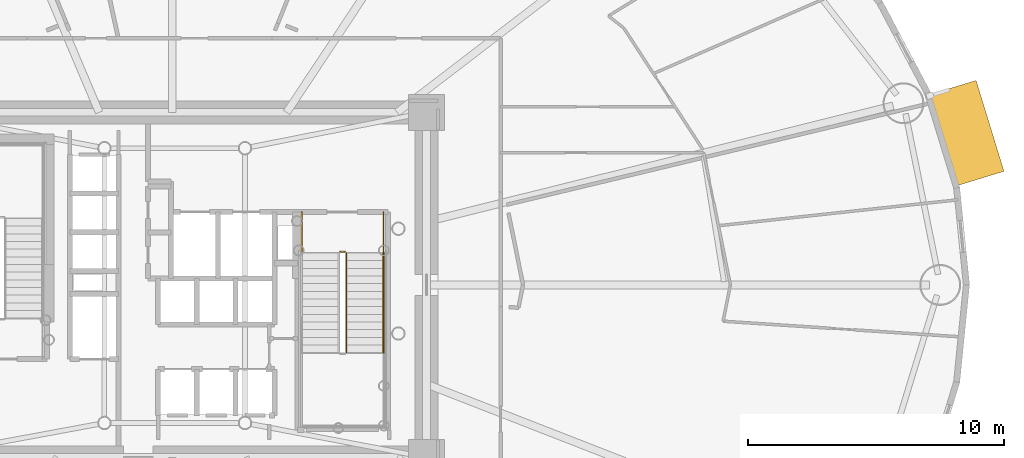
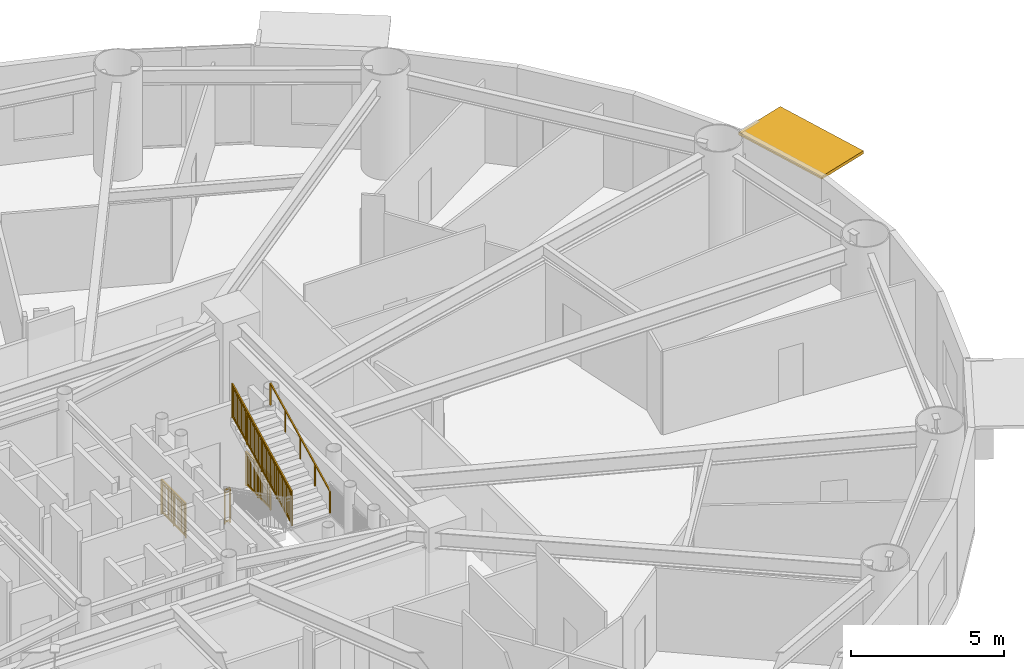
# One storey, part 20 of 21: 5 railings, 1 shading device.
"""IFC4 building model written with IfcOpenShell, lengths in metres."""

from ifc_helpers import new_model, si_unit, direction, frame, origin, origin_2d, place, context, subcontext, project, spatial, rectangle, extrude, source, transform, mapped, material, layer, layer_set, type_object, element, save


model = new_model("IFC4")

# Units and contexts
model_context = context("Model", 3, precision=1e-05, world=origin(), true_north=direction((0.0, 1.0)))
body_context = subcontext(model_context, "Body", "Model", "MODEL_VIEW")
ifc_project = project(units=[si_unit("LENGTHUNIT", "METRE"), si_unit("AREAUNIT", "SQUARE_METRE"), si_unit("VOLUMEUNIT", "CUBIC_METRE"), si_unit("PLANEANGLEUNIT", "RADIAN"), si_unit("MASSUNIT", "GRAM", prefix="KILO")], contexts=[model_context])

# Site, building, storey
site_placement = place(None, origin())
site = spatial("IfcSite", under=ifc_project, at=site_placement, CompositionType="ELEMENT")
building_placement = place(site_placement, origin())
building = spatial("IfcBuilding", under=site, at=building_placement, Name="Linh Dai School and Residence Tower", CompositionType="ELEMENT")
storey_placement = place(building_placement, frame((0.0, 0.0, 78.60009765625)))
storey = spatial("IfcBuildingStorey", under=building, at=storey_placement, Name="L18", CompositionType="ELEMENT", Elevation=78.60009765625)

# Shading device
ifc_material_1 = material(Name="Terracotta Ceramic Sunshade", Category="masonry")
ifc_layer = layer(ifc_material_1, 0.1201171875)
ifc_layer_set = layer_set([ifc_layer], Name="Terracotta Ceramic Sunshade")
shading_device_type = type_object("IfcShadingDeviceType", Name="SHD-TC-2000", PredefinedType="USERDEFINED", material=ifc_layer_set)
shared_shape_1 = source(origin(), body_context, "Body", "SweptSolid", [
    extrude(rectangle(XDim=3.7197265625, YDim=2.0, at=origin_2d()), origin(), (0.0, 0.0, 1.0), 0.1201171875),
])
shading_device_placement = place(storey_placement, frame((67.043212890625, 32.9306640625, 3.809814453125), z_axis=(0.0, 0.0, 1.0), x_axis=(0.293145733514, -0.956067769001, 0.0)))
element("IfcShadingDevice", 1, at=shading_device_placement, inside=storey, type_object=shading_device_type, Name="L18 Terracotta Horizontal Sunshade Band 02", ObjectType="SUNSHADE", PredefinedType="USERDEFINED", context=body_context, shape_type="MappedRepresentation", body=[
    mapped(shared_shape_1, transform((0.0, 0.0, 0.0), x_axis=(1.0, 0.0, 0.0), y_axis=(0.0, 1.0, 0.0), z_axis=(0.0, 0.0, 1.0), scale=1.0)),
])

# Railings
ifc_material_2 = material(Name="Structural Steel S355JR", Category="steel")
railing_type_1 = type_object("IfcRailingType", Name="RL-ST-GUARD-1400", PredefinedType="GUARDRAIL", material=ifc_material_2)
shared_shape_2 = source(origin(), body_context, "Body", "SweptSolid", [
    extrude(rectangle(XDim=0.048095703125, YDim=0.048095703125, at=origin_2d()), frame((0.0, 0.0, 1.3759765625), z_axis=(1.0, 0.0, 0.0), x_axis=(0.0, 1.0, 0.0)), (0.0, 0.0, 1.0), 0.199951171875),
    extrude(rectangle(XDim=0.048095703125, YDim=0.048095703125, at=origin_2d()), frame((0.0, 0.0, 0.10009765625), z_axis=(1.0, 0.0, 0.0), x_axis=(0.0, 1.0, 0.0)), (0.0, 0.0, 1.0), 0.199951171875),
    extrude(rectangle(XDim=0.030029296875, YDim=0.030029296875, at=origin_2d()), frame((0.0, 0.0, 1.239990234375), z_axis=(1.0, 0.0, 0.0), x_axis=(0.0, 1.0, 0.0)), (0.0, 0.0, 1.0), 0.199951171875),
    extrude(rectangle(XDim=0.0419921875, YDim=0.0419921875, at=origin_2d()), origin(), (0.0, 0.0, 1.0), 1.3759765625),
    extrude(rectangle(XDim=0.0419921875, YDim=0.0419921875, at=origin_2d()), frame((0.199951171875, 0.0, 0.0)), (0.0, 0.0, 1.0), 1.3759765625),
])
railing_1_placement = place(storey_placement, frame((42.570068359375, 28.300048828125, 0.0)))
element("IfcRailing", 2, at=railing_1_placement, inside=storey, type_object=railing_type_1, Name="L18 ST2 stair guard 7", PredefinedType="GUARDRAIL", context=body_context, shape_type="MappedRepresentation", body=[
    mapped(shared_shape_2, transform((0.0, 0.0, 0.0), x_axis=(1.0, 0.0, 0.0), y_axis=(0.0, 1.0, 0.0), z_axis=(0.0, 0.0, 1.0), scale=1.0)),
])
shared_shape_3 = source(origin(), body_context, "Body", "SweptSolid", [
    extrude(rectangle(XDim=0.048095703125, YDim=0.048095703125, at=origin_2d()), frame((0.0, 0.0, 1.3759765625), z_axis=(0.0, -1.0, 0.0), x_axis=(1.0, 0.0, 0.0)), (0.0, 0.0, 1.0), 1.60009765625),
    extrude(rectangle(XDim=0.048095703125, YDim=0.048095703125, at=origin_2d()), frame((0.0, 0.0, 0.10009765625), z_axis=(0.0, -1.0, 0.0), x_axis=(1.0, 0.0, 0.0)), (0.0, 0.0, 1.0), 1.60009765625),
    extrude(rectangle(XDim=0.030029296875, YDim=0.030029296875, at=origin_2d()), frame((0.0, 0.0, 1.239990234375), z_axis=(0.0, -1.0, 0.0), x_axis=(1.0, 0.0, 0.0)), (0.0, 0.0, 1.0), 1.60009765625),
    extrude(rectangle(XDim=0.02001953125, YDim=0.02001953125, at=origin_2d()), frame((0.0, -0.09423828125, 0.10009765625)), (0.0, 0.0, 1.0), 1.251708984375),
    extrude(rectangle(XDim=0.02001953125, YDim=0.02001953125, at=origin_2d()), frame((0.0, -0.188232421875, 0.10009765625)), (0.0, 0.0, 1.0), 1.251708984375),
    extrude(rectangle(XDim=0.02001953125, YDim=0.02001953125, at=origin_2d()), frame((0.0, -0.282470703125, 0.10009765625)), (0.0, 0.0, 1.0), 1.251708984375),
    extrude(rectangle(XDim=0.02001953125, YDim=0.02001953125, at=origin_2d()), frame((0.0, -0.37646484375, 0.10009765625)), (0.0, 0.0, 1.0), 1.251708984375),
    extrude(rectangle(XDim=0.02001953125, YDim=0.02001953125, at=origin_2d()), frame((0.0, -0.470703125, 0.10009765625)), (0.0, 0.0, 1.0), 1.251708984375),
    extrude(rectangle(XDim=0.02001953125, YDim=0.02001953125, at=origin_2d()), frame((0.0, -0.564697265625, 0.10009765625)), (0.0, 0.0, 1.0), 1.251708984375),
    extrude(rectangle(XDim=0.02001953125, YDim=0.02001953125, at=origin_2d()), frame((0.0, -0.658935546875, 0.10009765625)), (0.0, 0.0, 1.0), 1.251708984375),
    extrude(rectangle(XDim=0.02001953125, YDim=0.02001953125, at=origin_2d()), frame((0.0, -0.7529296875, 0.10009765625)), (0.0, 0.0, 1.0), 1.251708984375),
    extrude(rectangle(XDim=0.02001953125, YDim=0.02001953125, at=origin_2d()), frame((0.0, -0.84716796875, 0.10009765625)), (0.0, 0.0, 1.0), 1.251708984375),
    extrude(rectangle(XDim=0.02001953125, YDim=0.02001953125, at=origin_2d()), frame((0.0, -0.941162109375, 0.10009765625)), (0.0, 0.0, 1.0), 1.251708984375),
    extrude(rectangle(XDim=0.02001953125, YDim=0.02001953125, at=origin_2d()), frame((0.0, -1.035400390625, 0.10009765625)), (0.0, 0.0, 1.0), 1.251708984375),
    extrude(rectangle(XDim=0.02001953125, YDim=0.02001953125, at=origin_2d()), frame((0.0, -1.12939453125, 0.10009765625)), (0.0, 0.0, 1.0), 1.251708984375),
    extrude(rectangle(XDim=0.02001953125, YDim=0.02001953125, at=origin_2d()), frame((0.0, -1.2236328125, 0.10009765625)), (0.0, 0.0, 1.0), 1.251708984375),
    extrude(rectangle(XDim=0.02001953125, YDim=0.02001953125, at=origin_2d()), frame((0.0, -1.317626953125, 0.10009765625)), (0.0, 0.0, 1.0), 1.251708984375),
    extrude(rectangle(XDim=0.02001953125, YDim=0.02001953125, at=origin_2d()), frame((0.0, -1.411865234375, 0.10009765625)), (0.0, 0.0, 1.0), 1.251708984375),
    extrude(rectangle(XDim=0.02001953125, YDim=0.02001953125, at=origin_2d()), frame((0.0, -1.505859375, 0.10009765625)), (0.0, 0.0, 1.0), 1.251708984375),
    extrude(rectangle(XDim=0.0419921875, YDim=0.0419921875, at=origin_2d()), origin(), (0.0, 0.0, 1.0), 1.3759765625),
    extrude(rectangle(XDim=0.0419921875, YDim=0.0419921875, at=origin_2d()), frame((0.0, -0.800048828125, 0.0)), (0.0, 0.0, 1.0), 1.3759765625),
    extrude(rectangle(XDim=0.0419921875, YDim=0.0419921875, at=origin_2d()), frame((0.0, -1.60009765625, 0.0)), (0.0, 0.0, 1.0), 1.3759765625),
])
for number, where, name in (
    (3, (41.070068359375, 29.85009765625, 0.0), "L18 ST2 stair guard 8"),
    (4, (44.27001953125, 29.85009765625, 0.0), "L18 ST2 stair guard 9"),
):
    element("IfcRailing", number, at=place(storey_placement, frame(where)), inside=storey, type_object=railing_type_1, Name=name, PredefinedType="GUARDRAIL", context=body_context, shape_type="MappedRepresentation", body=[
        mapped(shared_shape_3, transform((0.0, 0.0, 0.0), x_axis=(1.0, 0.0, 0.0), y_axis=(0.0, 1.0, 0.0), z_axis=(0.0, 0.0, 1.0), scale=1.0)),
    ])
shared_shape_4 = source(origin(), body_context, "Body", "SweptSolid", [
    extrude(rectangle(XDim=0.048095703125, YDim=0.048095703125, at=origin_2d()), frame((0.0, 0.0, 1.3759765625), z_axis=(0.0, 0.894427191, 0.4472135955), x_axis=(-1.0, 0.0, 0.0)), (0.0, 0.0, 1.0), 4.360107421875),
    extrude(rectangle(XDim=0.048095703125, YDim=0.048095703125, at=origin_2d()), frame((0.0, 0.0, 0.10009765625), z_axis=(0.0, 0.894427191, 0.4472135955), x_axis=(-1.0, 0.0, 0.0)), (0.0, 0.0, 1.0), 4.360107421875),
    extrude(rectangle(XDim=0.030029296875, YDim=0.030029296875, at=origin_2d()), frame((0.0, 0.0, 1.239990234375), z_axis=(0.0, 0.894427191, 0.4472135955), x_axis=(-1.0, 0.0, 0.0)), (0.0, 0.0, 1.0), 4.360107421875),
    extrude(rectangle(XDim=0.02001953125, YDim=0.02001953125, at=origin_2d()), frame((0.0, 0.086669921875, 0.143310546875)), (0.0, 0.0, 1.0), 1.251708984375),
    extrude(rectangle(XDim=0.02001953125, YDim=0.02001953125, at=origin_2d()), frame((0.0, 0.17333984375, 0.186767578125)), (0.0, 0.0, 1.0), 1.251708984375),
    extrude(rectangle(XDim=0.02001953125, YDim=0.02001953125, at=origin_2d()), frame((0.0, 0.260009765625, 0.22998046875)), (0.0, 0.0, 1.0), 1.251708984375),
    extrude(rectangle(XDim=0.02001953125, YDim=0.02001953125, at=origin_2d()), frame((0.0, 0.3466796875, 0.2734375)), (0.0, 0.0, 1.0), 1.251708984375),
    extrude(rectangle(XDim=0.02001953125, YDim=0.02001953125, at=origin_2d()), frame((0.0, 0.433349609375, 0.316650390625)), (0.0, 0.0, 1.0), 1.251708984375),
    extrude(rectangle(XDim=0.02001953125, YDim=0.02001953125, at=origin_2d()), frame((0.0, 0.52001953125, 0.360107421875)), (0.0, 0.0, 1.0), 1.251708984375),
    extrude(rectangle(XDim=0.02001953125, YDim=0.02001953125, at=origin_2d()), frame((0.0, 0.606689453125, 0.4033203125)), (0.0, 0.0, 1.0), 1.251708984375),
    extrude(rectangle(XDim=0.02001953125, YDim=0.02001953125, at=origin_2d()), frame((0.0, 0.693359375, 0.44677734375)), (0.0, 0.0, 1.0), 1.251708984375),
    extrude(rectangle(XDim=0.02001953125, YDim=0.02001953125, at=origin_2d()), frame((0.0, 0.780029296875, 0.489990234375)), (0.0, 0.0, 1.0), 1.251708984375),
    extrude(rectangle(XDim=0.02001953125, YDim=0.02001953125, at=origin_2d()), frame((0.0, 0.86669921875, 0.533447265625)), (0.0, 0.0, 1.0), 1.251708984375),
    extrude(rectangle(XDim=0.02001953125, YDim=0.02001953125, at=origin_2d()), frame((0.0, 1.0400390625, 0.6201171875)), (0.0, 0.0, 1.0), 1.251708984375),
    extrude(rectangle(XDim=0.02001953125, YDim=0.02001953125, at=origin_2d()), frame((0.0, 1.126708984375, 0.663330078125)), (0.0, 0.0, 1.0), 1.251708984375),
    extrude(rectangle(XDim=0.02001953125, YDim=0.02001953125, at=origin_2d()), frame((0.0, 1.21337890625, 0.706787109375)), (0.0, 0.0, 1.0), 1.251708984375),
    extrude(rectangle(XDim=0.02001953125, YDim=0.02001953125, at=origin_2d()), frame((0.0, 1.300048828125, 0.75)), (0.0, 0.0, 1.0), 1.251708984375),
    extrude(rectangle(XDim=0.02001953125, YDim=0.02001953125, at=origin_2d()), frame((0.0, 1.38671875, 0.79345703125)), (0.0, 0.0, 1.0), 1.251708984375),
    extrude(rectangle(XDim=0.02001953125, YDim=0.02001953125, at=origin_2d()), frame((0.0, 1.473388671875, 0.836669921875)), (0.0, 0.0, 1.0), 1.251708984375),
    extrude(rectangle(XDim=0.02001953125, YDim=0.02001953125, at=origin_2d()), frame((0.0, 1.56005859375, 0.880126953125)), (0.0, 0.0, 1.0), 1.251708984375),
    extrude(rectangle(XDim=0.02001953125, YDim=0.02001953125, at=origin_2d()), frame((0.0, 1.646728515625, 0.92333984375)), (0.0, 0.0, 1.0), 1.251708984375),
    extrude(rectangle(XDim=0.02001953125, YDim=0.02001953125, at=origin_2d()), frame((0.0, 1.7333984375, 0.966796875)), (0.0, 0.0, 1.0), 1.251708984375),
    extrude(rectangle(XDim=0.02001953125, YDim=0.02001953125, at=origin_2d()), frame((0.0, 1.820068359375, 1.010009765625)), (0.0, 0.0, 1.0), 1.251708984375),
    extrude(rectangle(XDim=0.02001953125, YDim=0.02001953125, at=origin_2d()), frame((0.0, 1.90673828125, 1.053466796875)), (0.0, 0.0, 1.0), 1.251708984375),
    extrude(rectangle(XDim=0.02001953125, YDim=0.02001953125, at=origin_2d()), frame((0.0, 1.9931640625, 1.0966796875)), (0.0, 0.0, 1.0), 1.251708984375),
    extrude(rectangle(XDim=0.02001953125, YDim=0.02001953125, at=origin_2d()), frame((0.0, 2.079833984375, 1.14013671875)), (0.0, 0.0, 1.0), 1.251708984375),
    extrude(rectangle(XDim=0.02001953125, YDim=0.02001953125, at=origin_2d()), frame((0.0, 2.16650390625, 1.183349609375)), (0.0, 0.0, 1.0), 1.251708984375),
    extrude(rectangle(XDim=0.02001953125, YDim=0.02001953125, at=origin_2d()), frame((0.0, 2.253173828125, 1.226806640625)), (0.0, 0.0, 1.0), 1.251708984375),
    extrude(rectangle(XDim=0.02001953125, YDim=0.02001953125, at=origin_2d()), frame((0.0, 2.33984375, 1.27001953125)), (0.0, 0.0, 1.0), 1.251708984375),
    extrude(rectangle(XDim=0.02001953125, YDim=0.02001953125, at=origin_2d()), frame((0.0, 2.426513671875, 1.3134765625)), (0.0, 0.0, 1.0), 1.251708984375),
    extrude(rectangle(XDim=0.02001953125, YDim=0.02001953125, at=origin_2d()), frame((0.0, 2.51318359375, 1.356689453125)), (0.0, 0.0, 1.0), 1.251708984375),
    extrude(rectangle(XDim=0.02001953125, YDim=0.02001953125, at=origin_2d()), frame((0.0, 2.599853515625, 1.400146484375)), (0.0, 0.0, 1.0), 1.251708984375),
    extrude(rectangle(XDim=0.02001953125, YDim=0.02001953125, at=origin_2d()), frame((0.0, 2.6865234375, 1.443359375)), (0.0, 0.0, 1.0), 1.251708984375),
    extrude(rectangle(XDim=0.02001953125, YDim=0.02001953125, at=origin_2d()), frame((0.0, 2.773193359375, 1.48681640625)), (0.0, 0.0, 1.0), 1.251708984375),
    extrude(rectangle(XDim=0.02001953125, YDim=0.02001953125, at=origin_2d()), frame((0.0, 2.85986328125, 1.530029296875)), (0.0, 0.0, 1.0), 1.251708984375),
    extrude(rectangle(XDim=0.02001953125, YDim=0.02001953125, at=origin_2d()), frame((0.0, 3.033203125, 1.61669921875)), (0.0, 0.0, 1.0), 1.251708984375),
    extrude(rectangle(XDim=0.02001953125, YDim=0.02001953125, at=origin_2d()), frame((0.0, 3.119873046875, 1.66015625)), (0.0, 0.0, 1.0), 1.251708984375),
    extrude(rectangle(XDim=0.02001953125, YDim=0.02001953125, at=origin_2d()), frame((0.0, 3.20654296875, 1.703369140625)), (0.0, 0.0, 1.0), 1.251708984375),
    extrude(rectangle(XDim=0.02001953125, YDim=0.02001953125, at=origin_2d()), frame((0.0, 3.293212890625, 1.746826171875)), (0.0, 0.0, 1.0), 1.251708984375),
    extrude(rectangle(XDim=0.02001953125, YDim=0.02001953125, at=origin_2d()), frame((0.0, 3.3798828125, 1.7900390625)), (0.0, 0.0, 1.0), 1.251708984375),
    extrude(rectangle(XDim=0.02001953125, YDim=0.02001953125, at=origin_2d()), frame((0.0, 3.466552734375, 1.83349609375)), (0.0, 0.0, 1.0), 1.251708984375),
    extrude(rectangle(XDim=0.02001953125, YDim=0.02001953125, at=origin_2d()), frame((0.0, 3.55322265625, 1.876708984375)), (0.0, 0.0, 1.0), 1.251708984375),
    extrude(rectangle(XDim=0.02001953125, YDim=0.02001953125, at=origin_2d()), frame((0.0, 3.639892578125, 1.920166015625)), (0.0, 0.0, 1.0), 1.251708984375),
    extrude(rectangle(XDim=0.02001953125, YDim=0.02001953125, at=origin_2d()), frame((0.0, 3.7265625, 1.96337890625)), (0.0, 0.0, 1.0), 1.251708984375),
    extrude(rectangle(XDim=0.02001953125, YDim=0.02001953125, at=origin_2d()), frame((0.0, 3.813232421875, 2.0068359375)), (0.0, 0.0, 1.0), 1.251708984375),
    extrude(rectangle(XDim=0.0419921875, YDim=0.0419921875, at=origin_2d()), origin(), (0.0, 0.0, 1.0), 1.3759765625),
    extrude(rectangle(XDim=0.0419921875, YDim=0.0419921875, at=origin_2d()), frame((0.0, 0.97509765625, 0.487548828125)), (0.0, 0.0, 1.0), 1.3759765625),
    extrude(rectangle(XDim=0.0419921875, YDim=0.0419921875, at=origin_2d()), frame((0.0, 1.949951171875, 0.97509765625)), (0.0, 0.0, 1.0), 1.3759765625),
    extrude(rectangle(XDim=0.0419921875, YDim=0.0419921875, at=origin_2d()), frame((0.0, 2.9248046875, 1.46240234375)), (0.0, 0.0, 1.0), 1.3759765625),
    extrude(rectangle(XDim=0.0419921875, YDim=0.0419921875, at=origin_2d()), frame((0.0, 3.89990234375, 1.949951171875)), (0.0, 0.0, 1.0), 1.3759765625),
])
railing_2_placement = place(storey_placement, frame((42.820068359375, 24.35009765625, 2.25)))
element("IfcRailing", 5, at=railing_2_placement, inside=storey, type_object=railing_type_1, Name="L18 ST2 stair guard 6", PredefinedType="GUARDRAIL", context=body_context, shape_type="MappedRepresentation", body=[
    mapped(shared_shape_4, transform((0.0, 0.0, 0.0), x_axis=(1.0, 0.0, 0.0), y_axis=(0.0, 1.0, 0.0), z_axis=(0.0, 0.0, 1.0), scale=1.0)),
])
ifc_material_3 = material(Name="Brushed Stainless Steel Handrail", Category="steel")
railing_type_2 = type_object("IfcRailingType", Name="RL-ST-HANDRAIL-900", PredefinedType="HANDRAIL", material=ifc_material_3)
shared_shape_5 = source(origin(), body_context, "Body", "SweptSolid", [
    extrude(rectangle(XDim=0.048095703125, YDim=0.048095703125, at=origin_2d()), frame((0.0, 0.0, 0.8759765625), z_axis=(0.0, 0.894427191, 0.4472135955), x_axis=(-1.0, 0.0, 0.0)), (0.0, 0.0, 1.0), 4.360107421875),
    extrude(rectangle(XDim=0.0419921875, YDim=0.0419921875, at=origin_2d()), origin(), (0.0, 0.0, 1.0), 0.8759765625),
    extrude(rectangle(XDim=0.0419921875, YDim=0.0419921875, at=origin_2d()), frame((0.0, 0.97509765625, 0.487548828125)), (0.0, 0.0, 1.0), 0.8759765625),
    extrude(rectangle(XDim=0.0419921875, YDim=0.0419921875, at=origin_2d()), frame((0.0, 1.949951171875, 0.97509765625)), (0.0, 0.0, 1.0), 0.8759765625),
    extrude(rectangle(XDim=0.0419921875, YDim=0.0419921875, at=origin_2d()), frame((0.0, 2.9248046875, 1.46240234375)), (0.0, 0.0, 1.0), 0.8759765625),
    extrude(rectangle(XDim=0.0419921875, YDim=0.0419921875, at=origin_2d()), frame((0.0, 3.89990234375, 1.949951171875)), (0.0, 0.0, 1.0), 0.8759765625),
])
railing_3_placement = place(storey_placement, frame((44.27001953125, 24.35009765625, 2.25)))
element("IfcRailing", 6, at=railing_3_placement, inside=storey, type_object=railing_type_2, Name="L18 ST2 stair handrail 2", PredefinedType="HANDRAIL", context=body_context, shape_type="MappedRepresentation", body=[
    mapped(shared_shape_5, transform((0.0, 0.0, 0.0), x_axis=(1.0, 0.0, 0.0), y_axis=(0.0, 1.0, 0.0), z_axis=(0.0, 0.0, 1.0), scale=1.0)),
])

save(model, "model.ifc")
